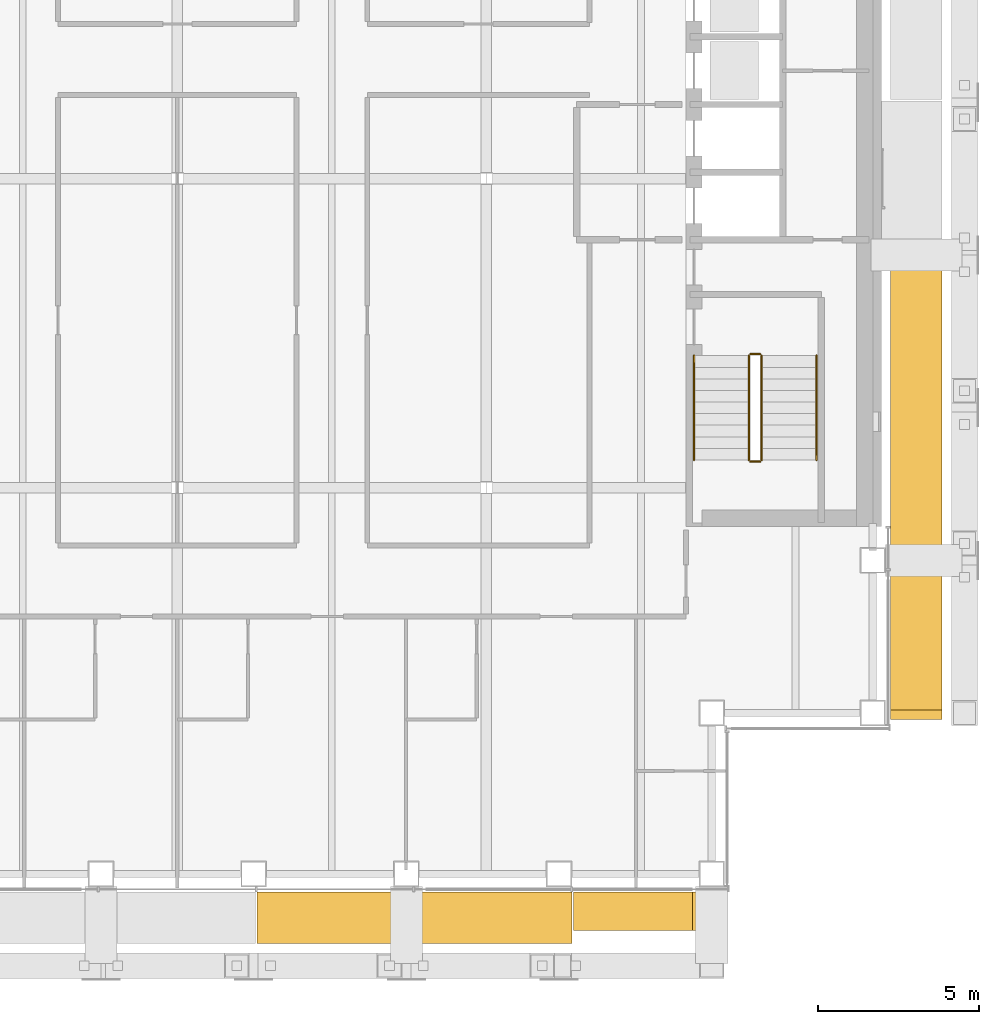
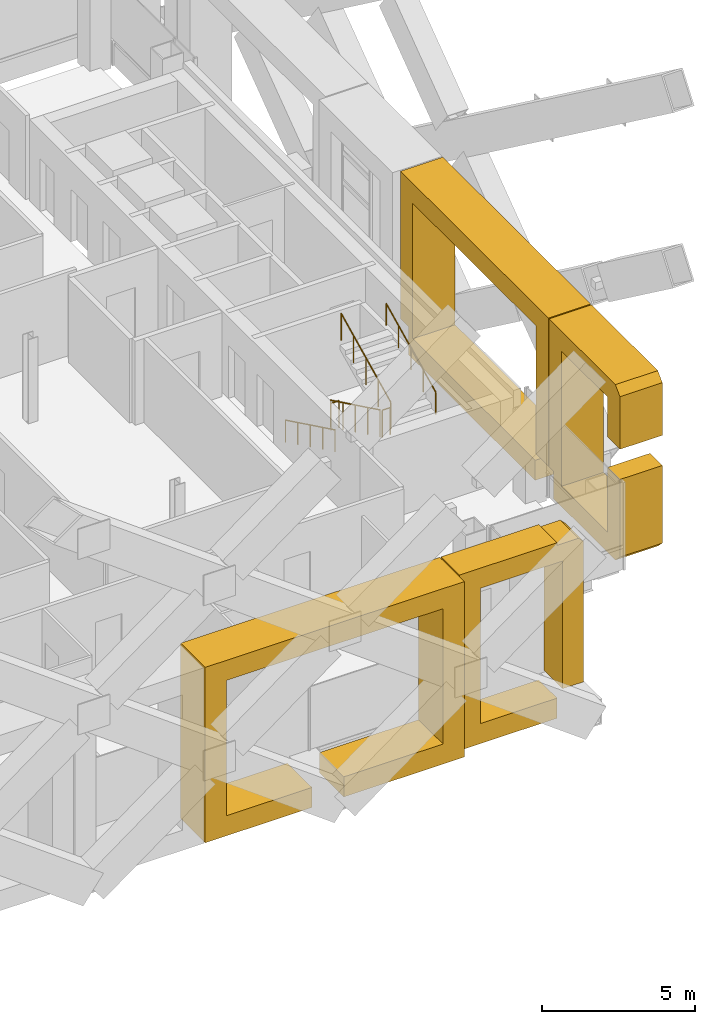
# One storey, part 20 of 25: 6 railings, 4 coverings.
"""IFC4 building model written with IfcOpenShell, lengths in metres."""

from ifc_helpers import new_model, si_unit, direction, frame, origin, origin_2d, place, context, subcontext, project, spatial, polyline, circle, outline, extrude, material, type_object, element, save


model = new_model("IFC4")

# Units and contexts
model_context = context("Model", 3, precision=1e-05, world=origin(), true_north=direction((0.0, 1.0)))
body_context = subcontext(model_context, "Body", "Model", "MODEL_VIEW")
ifc_project = project(units=[si_unit("LENGTHUNIT", "METRE"), si_unit("AREAUNIT", "SQUARE_METRE"), si_unit("VOLUMEUNIT", "CUBIC_METRE"), si_unit("PLANEANGLEUNIT", "RADIAN"), si_unit("MASSUNIT", "GRAM", prefix="KILO")], contexts=[model_context])

# Site, building, storey
site_placement = place(None, origin())
site = spatial("IfcSite", under=ifc_project, at=site_placement, CompositionType="ELEMENT")
building_placement = place(site_placement, origin())
building = spatial("IfcBuilding", under=site, at=building_placement, Name="Cobrizo Arcos Hotel Tower", CompositionType="ELEMENT")
storey_placement = place(building_placement, frame((0.0, 0.0, 148.0)))
storey = spatial("IfcBuildingStorey", under=building, at=storey_placement, Name="L37", CompositionType="ELEMENT", Elevation=148.0)

# Coverings
ifc_material_1 = material(Name="Aluminium 6063-T6 anodised bronze", Category="aluminium")
covering_type_1 = type_object("IfcCoveringType", Name="FIN-F 1200", PredefinedType="CLADDING", material=ifc_material_1)
covering_1_placement = place(storey_placement, frame((12.310791015625, -22.14990234375, 0.0), z_axis=(0.0, -1.0, 0.0), x_axis=(1.0, 0.0, 0.0)))
element("IfcCovering", 1, at=covering_1_placement, inside=storey, type_object=covering_type_1, Name="Fin frame 235", PredefinedType="CLADDING", context=body_context, shape_type="SweptSolid", body=[
    extrude(outline(polyline([(0.0, 0.0), (3.687255859375, 0.0), (3.687255859375, 0.800048828125), (0.800048828125, 0.800048828125), (0.800048828125, 6.199951171875), (3.889404296875, 6.199951171875), (3.889404296875, 1.10205078125), (4.689208984375, 1.10205078125), (4.689208984375, 6.699951171875), (4.4912109375, 6.89794921875), (3.687255859375, 6.89794921875), (3.687255859375, 7.0), (0.0, 7.0), (0.0, 0.0)])), origin(), (0.0, 0.0, 1.0), 1.2001953125),
])
covering_type_2 = type_object("IfcCoveringType", Name="FIN-F 1600", PredefinedType="CLADDING", material=ifc_material_1)
covering_2_placement = place(storey_placement, frame((22.14990234375, -16.800048828125, 0.0), z_axis=(1.0, 0.0, 0.0), x_axis=(0.0, 1.0, 0.0)))
element("IfcCovering", 2, at=covering_2_placement, inside=storey, type_object=covering_type_2, Name="Fin frame 201", PredefinedType="CLADDING", context=body_context, shape_type="SweptSolid", body=[
    extrude(outline(polyline([(0.300048828125, 0.0), (4.3408203125, 0.0), (4.3408203125, 1.10205078125), (4.632080078125, 1.10205078125), (4.632080078125, 7.0), (0.300048828125, 7.0), (0.0, 6.699951171875), (0.0, 4.60205078125), (0.800048828125, 4.60205078125), (0.800048828125, 6.199951171875), (3.83203125, 6.199951171875), (3.83203125, 0.800048828125), (0.800048828125, 0.800048828125), (0.800048828125, 3.39794921875), (0.0, 3.39794921875), (0.0, 0.300048828125), (0.300048828125, 0.0)])), origin(), (0.0, 0.0, 1.0), 1.60009765625),
])
covering_3_placement = place(storey_placement, frame((22.14990234375, -12.117919921875, 0.0), z_axis=(1.0, 0.0, 0.0), x_axis=(0.0, 1.0, 0.0)))
element("IfcCovering", 3, at=covering_3_placement, inside=storey, type_object=covering_type_2, Name="Fin frame 202", PredefinedType="CLADDING", context=body_context, shape_type="SweptSolid", body=[
    extrude(outline(polyline([(0.86279296875, 0.0), (9.14453125, 0.0), (9.14453125, 1.10205078125), (9.664306640625, 1.10205078125), (9.664306640625, 7.0), (0.0, 7.0), (0.0, 1.10205078125), (0.800048828125, 1.10205078125), (0.800048828125, 6.199951171875), (8.8642578125, 6.199951171875), (8.8642578125, 0.800048828125), (0.86279296875, 0.800048828125), (0.86279296875, 0.0)])), origin(), (0.0, 0.0, 1.0), 1.60009765625),
])
covering_4_placement = place(storey_placement, frame((2.482177734375, -22.14990234375, 0.0), z_axis=(0.0, -1.0, 0.0), x_axis=(1.0, 0.0, 0.0)))
element("IfcCovering", 4, at=covering_4_placement, inside=storey, type_object=covering_type_2, Name="Fin frame 234", PredefinedType="CLADDING", context=body_context, shape_type="SweptSolid", body=[
    extrude(outline(polyline([(0.0, 0.0), (4.0302734375, 0.0), (4.0302734375, 0.800048828125), (0.800048828125, 0.800048828125), (0.800048828125, 6.199951171875), (8.978515625, 6.199951171875), (8.978515625, 0.800048828125), (5.234130859375, 0.800048828125), (5.234130859375, 0.0), (9.778564453125, 0.0), (9.778564453125, 7.0), (0.0, 7.0), (0.0, 0.0)])), origin(), (0.0, 0.0, 1.0), 1.60009765625),
])

# Railings
ifc_material_2 = material(Name="Stainless steel railing", Category="steel")
railing_type_1 = type_object("IfcRailingType", Name="Stair guard 1100", PredefinedType="GUARDRAIL", material=ifc_material_2)
railing_1_placement = place(storey_placement, frame((17.75, -5.5, 0.175048828125)))
element("IfcRailing", 5, at=railing_1_placement, inside=storey, type_object=railing_type_1, Name="L37 ST-E stair guard 1", PredefinedType="GUARDRAIL", context=body_context, shape_type="SweptSolid", body=[
    extrude(circle(Radius=0.02392578125, at=origin_2d()), frame((0.0, 0.0, 1.076171875), z_axis=(0.0, -0.899372665325, 0.437182809435), x_axis=(1.0, 0.0, 0.0)), (0.0, 0.0, 1.0), 3.6025390625),
    extrude(circle(Radius=0.02099609375, at=origin_2d()), origin(), (0.0, 0.0, 1.0), 1.052001953125),
    extrude(circle(Radius=0.02099609375, at=origin_2d()), frame((0.0, -0.81005859375, 0.393798828125)), (0.0, 0.0, 1.0), 1.052001953125),
    extrude(circle(Radius=0.02099609375, at=origin_2d()), frame((0.0, -1.6201171875, 0.78759765625)), (0.0, 0.0, 1.0), 1.052001953125),
    extrude(circle(Radius=0.02099609375, at=origin_2d()), frame((0.0, -2.429931640625, 1.18115234375)), (0.0, 0.0, 1.0), 1.052001953125),
    extrude(circle(Radius=0.02099609375, at=origin_2d()), frame((0.0, -3.239990234375, 1.574951171875)), (0.0, 0.0, 1.0), 1.052001953125),
])
railing_2_placement = place(storey_placement, frame((17.800048828125, -8.7900390625, 1.75)))
element("IfcRailing", 6, at=railing_2_placement, inside=storey, type_object=railing_type_1, Name="L37 ST-E stair guard 2", PredefinedType="GUARDRAIL", context=body_context, shape_type="SweptSolid", body=[
    extrude(circle(Radius=0.02392578125, at=origin_2d()), frame((0.0, 0.0, 1.076171875), z_axis=(1.0, 0.0, 0.0), x_axis=(0.0, 1.0, 0.0)), (0.0, 0.0, 1.0), 0.300048828125),
    extrude(circle(Radius=0.02099609375, at=origin_2d()), origin(), (0.0, 0.0, 1.0), 1.052001953125),
    extrude(circle(Radius=0.02099609375, at=origin_2d()), frame((0.300048828125, 0.0, 0.0)), (0.0, 0.0, 1.0), 1.052001953125),
])
railing_3_placement = place(storey_placement, frame((18.14990234375, -8.739990234375, 1.925048828125)))
element("IfcRailing", 7, at=railing_3_placement, inside=storey, type_object=railing_type_1, Name="L37 ST-E stair guard 3", PredefinedType="GUARDRAIL", context=body_context, shape_type="SweptSolid", body=[
    extrude(circle(Radius=0.02392578125, at=origin_2d()), frame((0.0, 0.0, 1.076171875), z_axis=(0.0, 0.899372665325, 0.437182809435), x_axis=(-1.0, 0.0, 0.0)), (0.0, 0.0, 1.0), 3.6025390625),
    extrude(circle(Radius=0.02099609375, at=origin_2d()), origin(), (0.0, 0.0, 1.0), 1.052001953125),
    extrude(circle(Radius=0.02099609375, at=origin_2d()), frame((0.0, 0.81005859375, 0.393798828125)), (0.0, 0.0, 1.0), 1.052001953125),
    extrude(circle(Radius=0.02099609375, at=origin_2d()), frame((0.0, 1.6201171875, 0.78759765625)), (0.0, 0.0, 1.0), 1.052001953125),
    extrude(circle(Radius=0.02099609375, at=origin_2d()), frame((0.0, 2.429931640625, 1.18115234375)), (0.0, 0.0, 1.0), 1.052001953125),
    extrude(circle(Radius=0.02099609375, at=origin_2d()), frame((0.0, 3.239990234375, 1.574951171875)), (0.0, 0.0, 1.0), 1.052001953125),
])
railing_4_placement = place(storey_placement, frame((17.800048828125, -5.449951171875, 0.0)))
element("IfcRailing", 8, at=railing_4_placement, inside=storey, type_object=railing_type_1, Name="L37 ST-E stair guard 4", PredefinedType="GUARDRAIL", context=body_context, shape_type="SweptSolid", body=[
    extrude(circle(Radius=0.02392578125, at=origin_2d()), frame((0.0, 0.0, 1.076171875), z_axis=(1.0, 0.0, 0.0), x_axis=(0.0, 1.0, 0.0)), (0.0, 0.0, 1.0), 0.300048828125),
    extrude(circle(Radius=0.02099609375, at=origin_2d()), origin(), (0.0, 0.0, 1.0), 1.052001953125),
    extrude(circle(Radius=0.02099609375, at=origin_2d()), frame((0.300048828125, 0.0, 0.0)), (0.0, 0.0, 1.0), 1.052001953125),
])
railing_type_2 = type_object("IfcRailingType", Name="Stair handrail", PredefinedType="HANDRAIL", material=ifc_material_2)
railing_5_placement = place(storey_placement, frame((16.050048828125, -5.5, 0.175048828125)))
element("IfcRailing", 9, at=railing_5_placement, inside=storey, type_object=railing_type_2, Name="L37 ST-E stair handrail 1", PredefinedType="HANDRAIL", context=body_context, shape_type="SweptSolid", body=[
    extrude(circle(Radius=0.02392578125, at=origin_2d()), frame((0.0, 0.0, 0.8759765625), z_axis=(0.0, -0.899372665325, 0.437182809435), x_axis=(1.0, 0.0, 0.0)), (0.0, 0.0, 1.0), 3.6025390625),
    extrude(circle(Radius=0.02099609375, at=origin_2d()), origin(), (0.0, 0.0, 1.0), 0.851806640625),
    extrude(circle(Radius=0.02099609375, at=origin_2d()), frame((0.0, -0.81005859375, 0.393798828125)), (0.0, 0.0, 1.0), 0.851806640625),
    extrude(circle(Radius=0.02099609375, at=origin_2d()), frame((0.0, -1.6201171875, 0.78759765625)), (0.0, 0.0, 1.0), 0.851806640625),
    extrude(circle(Radius=0.02099609375, at=origin_2d()), frame((0.0, -2.429931640625, 1.18115234375)), (0.0, 0.0, 1.0), 0.851806640625),
    extrude(circle(Radius=0.02099609375, at=origin_2d()), frame((0.0, -3.239990234375, 1.574951171875)), (0.0, 0.0, 1.0), 0.851806640625),
])
railing_6_placement = place(storey_placement, frame((19.85009765625, -8.739990234375, 1.925048828125)))
element("IfcRailing", 10, at=railing_6_placement, inside=storey, type_object=railing_type_2, Name="L37 ST-E stair handrail 2", PredefinedType="HANDRAIL", context=body_context, shape_type="SweptSolid", body=[
    extrude(circle(Radius=0.02392578125, at=origin_2d()), frame((0.0, 0.0, 0.8759765625), z_axis=(0.0, 0.899372665325, 0.437182809435), x_axis=(-1.0, 0.0, 0.0)), (0.0, 0.0, 1.0), 3.6025390625),
    extrude(circle(Radius=0.02099609375, at=origin_2d()), origin(), (0.0, 0.0, 1.0), 0.851806640625),
    extrude(circle(Radius=0.02099609375, at=origin_2d()), frame((0.0, 0.81005859375, 0.393798828125)), (0.0, 0.0, 1.0), 0.851806640625),
    extrude(circle(Radius=0.02099609375, at=origin_2d()), frame((0.0, 1.6201171875, 0.78759765625)), (0.0, 0.0, 1.0), 0.851806640625),
    extrude(circle(Radius=0.02099609375, at=origin_2d()), frame((0.0, 2.429931640625, 1.18115234375)), (0.0, 0.0, 1.0), 0.851806640625),
    extrude(circle(Radius=0.02099609375, at=origin_2d()), frame((0.0, 3.239990234375, 1.574951171875)), (0.0, 0.0, 1.0), 0.851806640625),
])

save(model, "model.ifc")
